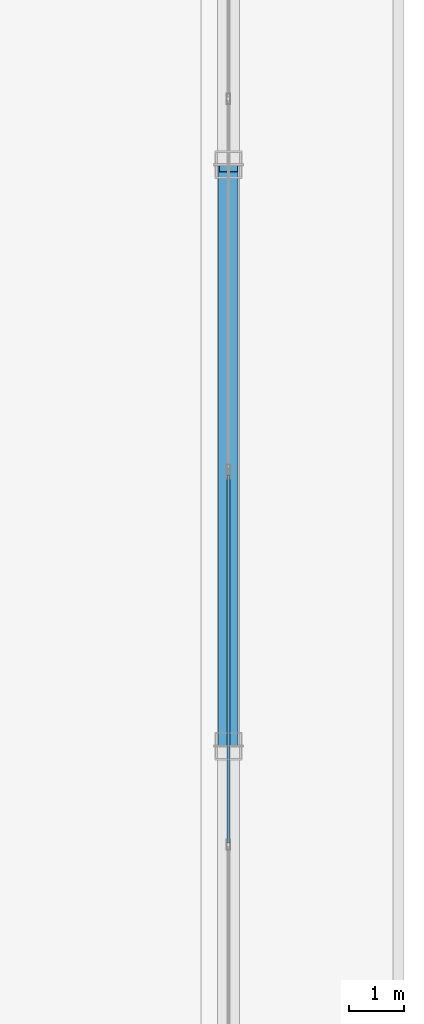
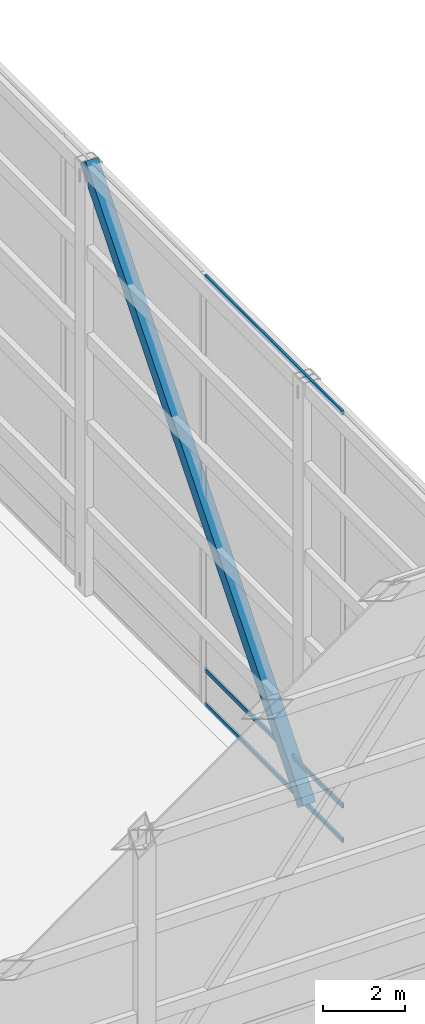
# One storey, part 15 of 23: 4 members, 1 element without a shape of its own.
"""IFC4 building model written with IfcOpenShell, lengths in metres."""

from ifc_helpers import new_model, si_unit, direction, frame, origin, origin_2d, place, context, subcontext, project, spatial, hollow_rectangle, extrude, source, transform, mapped, material, layer, layer_set, material_profile, profile_set, type_object, type_shapes, element, aggregate, save


model = new_model("IFC4")

# Units and contexts
model_context = context("Model", 3, precision=1e-05, world=origin(), true_north=direction((0.0, 1.0)))
body_context = subcontext(model_context, "Body", "Model", "MODEL_VIEW")
ifc_project = project(units=[si_unit("LENGTHUNIT", "METRE"), si_unit("AREAUNIT", "SQUARE_METRE"), si_unit("VOLUMEUNIT", "CUBIC_METRE"), si_unit("PLANEANGLEUNIT", "RADIAN"), si_unit("MASSUNIT", "GRAM", prefix="KILO")], contexts=[model_context])

# Site, building, storey
site_placement = place(None, origin())
site = spatial("IfcSite", under=ifc_project, at=site_placement, CompositionType="ELEMENT")
building_placement = place(site_placement, origin())
building = spatial("IfcBuilding", under=site, at=building_placement, Name="Varnel Quay Broadcast Tower", CompositionType="ELEMENT")
storey_placement = place(building_placement, frame((0.0, 0.0, 319.800048828125)))
storey = spatial("IfcBuildingStorey", under=building, at=storey_placement, Name="Roof", CompositionType="ELEMENT", Elevation=319.800048828125)

# Member
ifc_material_1 = material(Name="Structural Steel CSA G40.21 350W", Category="steel")
ifc_material_profile_1 = material_profile(ifc_material_1, hollow_rectangle(XDim=0.35595703125, YDim=0.35595703125, WallThickness=0.01611328125, at=origin_2d()), Name="HSS356X356X16")
ifc_profile_set_1 = profile_set([ifc_material_profile_1], Name="Structural Steel CSA G40.21 350W")
member_type_1 = type_object("IfcMemberType", Name="CrownRingBrace_HSS356", PredefinedType="BRACE", material=ifc_profile_set_1)
shared_shape_1 = source(origin(), body_context, "Body", "SweptSolid", [
    extrude(hollow_rectangle(XDim=0.35595703125, YDim=0.35595703125, WallThickness=0.01611328125, at=origin_2d()), origin(), (0.0, 0.0, 1.0), 16.550048828125),
])
type_shapes(member_type_1, [shared_shape_1])
member_1_placement = place(storey_placement, frame((52.800048828125, 25.0, 0.02001953125), z_axis=(0.0, 0.640486154046, 0.76796971716), x_axis=(-1.0, 0.0, 0.0)))
element("IfcMember", 1, at=member_1_placement, inside=storey, type_object=member_type_1, Name="CROWN FRAME Ring Brace 6", PredefinedType="BRACE", context=body_context, shape_type="MappedRepresentation", body=[
    mapped(shared_shape_1, transform((0.0, 0.0, 0.0), x_axis=(1.0, 0.0, 0.0), y_axis=(0.0, 1.0, 0.0), z_axis=(0.0, 0.0, 1.0), scale=1.0)),
])

# Curtain wall, members
ifc_material_2 = material(Name="Anodised Bronze Aluminium 6063-T6", Category="aluminium")
ifc_layer = layer(ifc_material_2, 0.18994140625, Name="Anodised Bronze Aluminium 6063-T6")
ifc_layer_set = layer_set([ifc_layer], Name="Anodised Bronze Aluminium 6063-T6")
curtain_wall_type = type_object("IfcCurtainWallType", Name="CW_CrownScreen", PredefinedType="NOTDEFINED", material=ifc_layer_set)
curtain_wall_placement = place(storey_placement, origin())
curtain_wall = element("IfcCurtainWall", 2, at=curtain_wall_placement, inside=storey, type_object=curtain_wall_type, Name="Ring Crown Bronze Glazed Louvre Screen E1", PredefinedType="NOTDEFINED")
ifc_material_profile_2 = material_profile(ifc_material_2, hollow_rectangle(XDim=0.06005859375, YDim=0.125, WallThickness=0.0029296875, at=origin_2d()), Name="ALU60X125X3")
ifc_profile_set_2 = profile_set([ifc_material_profile_2], Name="Anodised Bronze Aluminium 6063-T6")
member_type_2 = type_object("IfcMemberType", Name="Tran_CWS-06", PredefinedType="USERDEFINED", material=ifc_profile_set_2)
shared_shape_2 = source(origin(), body_context, "Body", "SweptSolid", [
    extrude(hollow_rectangle(XDim=0.06005859375, YDim=0.125, WallThickness=0.0029296875, at=origin_2d()), origin(), (0.0, 0.0, 1.0), 6.69482421875),
])
type_shapes(member_type_2, [shared_shape_2])
member_2_placement = place(storey_placement, frame((52.800048828125, 23.235107421875, 0.030029296875), z_axis=(0.0, 1.0, 0.0), x_axis=(-1.0, 0.0, 0.0)))
member_2 = element("IfcMember", 3, at=member_2_placement, type_object=member_type_2, Name="CWS-06 transom 2.1", ObjectType="TRANSOM", PredefinedType="USERDEFINED", context=body_context, shape_type="MappedRepresentation", body=[
    mapped(shared_shape_2, transform((0.0, 0.0, 0.0), x_axis=(1.0, 0.0, 0.0), y_axis=(0.0, 1.0, 0.0), z_axis=(0.0, 0.0, 1.0), scale=1.0)),
])
member_3_placement = place(storey_placement, frame((52.800048828125, 23.235107421875, 1.050048828125), z_axis=(0.0, 1.0, 0.0), x_axis=(-1.0, 0.0, 0.0)))
member_3 = element("IfcMember", 4, at=member_3_placement, type_object=member_type_2, Name="CWS-06 transom 2.2", ObjectType="TRANSOM", PredefinedType="USERDEFINED", context=body_context, shape_type="MappedRepresentation", body=[
    mapped(shared_shape_2, transform((0.0, 0.0, 0.0), x_axis=(1.0, 0.0, 0.0), y_axis=(0.0, 1.0, 0.0), z_axis=(0.0, 0.0, 1.0), scale=1.0)),
])
member_4_placement = place(storey_placement, frame((52.800048828125, 23.235107421875, 12.719970703125), z_axis=(0.0, 1.0, 0.0), x_axis=(-1.0, 0.0, 0.0)))
member_4 = element("IfcMember", 5, at=member_4_placement, type_object=member_type_2, Name="CWS-06 transom 2.3", ObjectType="TRANSOM", PredefinedType="USERDEFINED", context=body_context, shape_type="MappedRepresentation", body=[
    mapped(shared_shape_2, transform((0.0, 0.0, 0.0), x_axis=(1.0, 0.0, 0.0), y_axis=(0.0, 1.0, 0.0), z_axis=(0.0, 0.0, 1.0), scale=1.0)),
])
aggregate(curtain_wall, [member_2, member_3, member_4])

save(model, "model.ifc")
